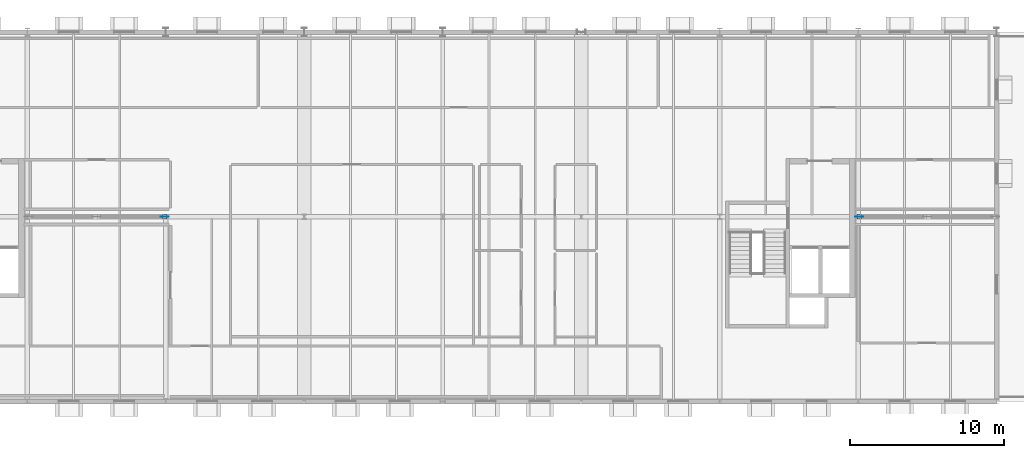
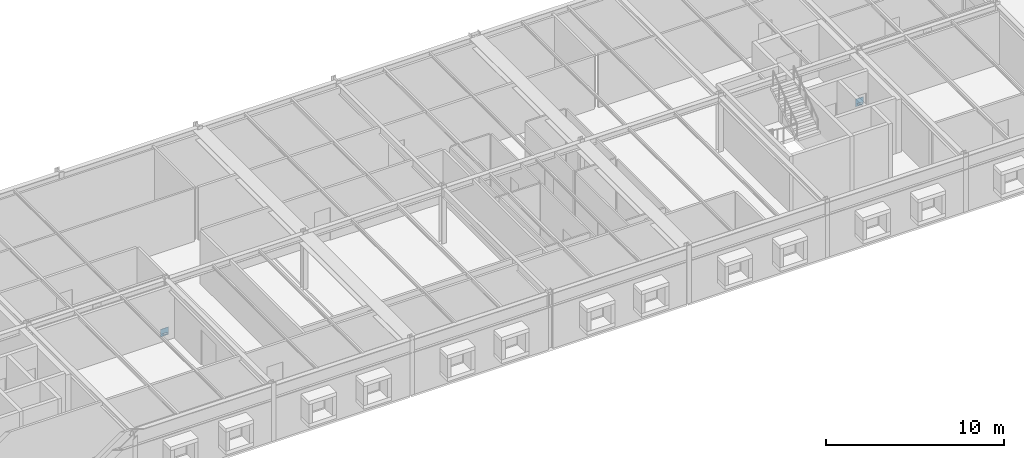
# One storey, part 9 of 17: 4 plates.
"""IFC4 building model written with IfcOpenShell, lengths in metres."""

from ifc_helpers import new_model, si_unit, direction, frame, origin, origin_2d, place, context, subcontext, project, spatial, rectangle, extrude, material, layer, layer_set, type_object, element, save


model = new_model("IFC4")

# Units and contexts
model_context = context("Model", 3, precision=1e-05, world=origin(), true_north=direction((0.0, 1.0)))
body_context = subcontext(model_context, "Body", "Model", "MODEL_VIEW")
ifc_project = project(units=[si_unit("LENGTHUNIT", "METRE"), si_unit("AREAUNIT", "SQUARE_METRE"), si_unit("VOLUMEUNIT", "CUBIC_METRE"), si_unit("PLANEANGLEUNIT", "RADIAN"), si_unit("MASSUNIT", "GRAM", prefix="KILO")], contexts=[model_context])

# Site, building, storey
site_placement = place(None, origin())
site = spatial("IfcSite", under=ifc_project, at=site_placement, CompositionType="ELEMENT")
building_placement = place(site_placement, origin())
building = spatial("IfcBuilding", under=site, at=building_placement, Name="Montelvaro Courts of Justice", CompositionType="ELEMENT")
storey_placement = place(building_placement, frame((0.0, 0.0, 27.39990234375)))
storey = spatial("IfcBuildingStorey", under=building, at=storey_placement, Name="L06", CompositionType="ELEMENT", Elevation=27.39990234375)

# Plates
ifc_material = material(Name="Steel S355", Category="steel")
ifc_layer_1 = layer(ifc_material, 0.011962890625)
ifc_layer_set_1 = layer_set([ifc_layer_1], Name="Steel S355")
plate_type_1 = type_object("IfcPlateType", Name="EndCapPlate_12", PredefinedType="USERDEFINED", material=ifc_layer_set_1)
for number, where, z_axis, x_axis, name in (
    (1, (71.919921875, 12.0, 0.07421875), (0.0, 0.0, 1.0), (1.0, 0.0, 0.0), "Brace End Cap Plate CP-01 CBF1-L06-2A"),
    (2, (117.080078125, 12.0, 0.07421875), (0.0, 0.0, 1.0), (1.0, 0.0, 0.0), "Brace End Cap Plate CP-01 CBF2-L06-1A"),
):
    element("IfcPlate", number, at=place(storey_placement, frame(where, z_axis=z_axis, x_axis=x_axis)), inside=storey, type_object=plate_type_1, Name=name, ObjectType="GUSSET PLATE", PredefinedType="USERDEFINED", context=body_context, shape_type="SweptSolid", body=[
        extrude(rectangle(XDim=0.300048828125, YDim=0.300048828125, at=origin_2d()), origin(), (0.0, 0.0, 1.0), 0.011962890625),
    ])
ifc_layer_2 = layer(ifc_material, 0.02001953125)
ifc_layer_set_2 = layer_set([ifc_layer_2], Name="Steel S355")
plate_type_2 = type_object("IfcPlateType", Name="GussetPlate_20", PredefinedType="USERDEFINED", material=ifc_layer_set_2)
for number, where, z_axis, x_axis, name in (
    (3, (71.919921875, 12.0, -0.099853515625), (0.0, 0.0, 1.0), (1.0, 0.0, 0.0), "Chevron Brace Base Gusset Plate GP-01 CBF1-L06-B2"),
    (4, (117.080078125, 12.0, -0.099853515625), (0.0, 0.0, 1.0), (1.0, 0.0, 0.0), "Chevron Brace Base Gusset Plate GP-01 CBF2-L06-B1"),
):
    element("IfcPlate", number, at=place(storey_placement, frame(where, z_axis=z_axis, x_axis=x_axis)), inside=storey, type_object=plate_type_2, Name=name, ObjectType="GUSSET PLATE", PredefinedType="USERDEFINED", context=body_context, shape_type="SweptSolid", body=[
        extrude(rectangle(XDim=0.52001953125, YDim=0.02001953125, at=origin_2d()), origin(), (0.0, 0.0, 1.0), 0.52001953125),
    ])

save(model, "model.ifc")
